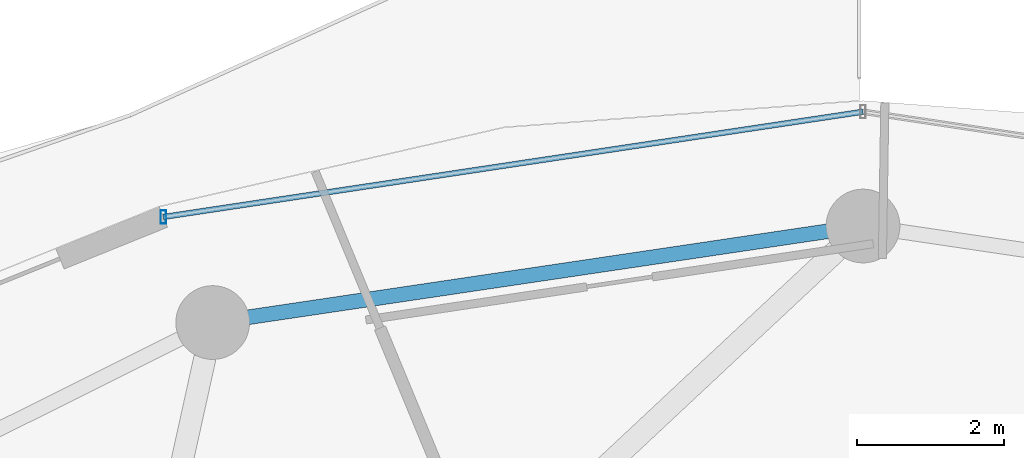
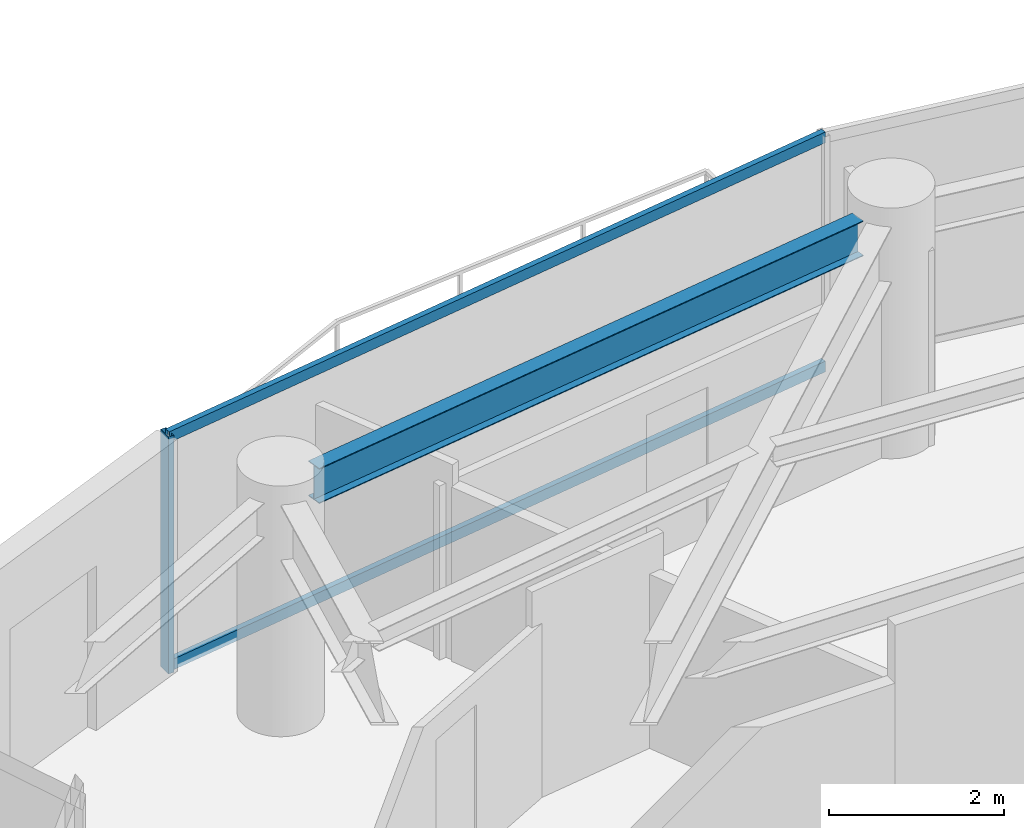
# One storey, part 17 of 29: 3 members, 1 beam, 1 element without a shape of its own.
"""IFC4 building model written with IfcOpenShell, lengths in metres."""

from ifc_helpers import new_model, si_unit, direction, frame, origin, origin_2d, place, context, subcontext, project, spatial, hollow_rectangle, i_section, extrude, material, material_profile, profile_set, type_object, element, aggregate, save


model = new_model("IFC4")

# Units and contexts
model_context = context("Model", 3, precision=1e-05, world=origin(), true_north=direction((0.0, 1.0)))
body_context = subcontext(model_context, "Body", "Model", "MODEL_VIEW")
ifc_project = project(units=[si_unit("LENGTHUNIT", "METRE"), si_unit("AREAUNIT", "SQUARE_METRE"), si_unit("VOLUMEUNIT", "CUBIC_METRE"), si_unit("PLANEANGLEUNIT", "RADIAN"), si_unit("MASSUNIT", "GRAM", prefix="KILO")], contexts=[model_context])

# Site, building, storey
site_placement = place(None, origin())
site = spatial("IfcSite", under=ifc_project, at=site_placement, CompositionType="ELEMENT")
building_placement = place(site_placement, origin())
building = spatial("IfcBuilding", under=site, at=building_placement, Name="Vorneva Point Tower", CompositionType="ELEMENT")
storey_placement = place(building_placement, frame((0.0, 0.0, 167.60009765625)))
storey = spatial("IfcBuildingStorey", under=building, at=storey_placement, Name="L45", CompositionType="ELEMENT", Elevation=167.60009765625)

# Beam
ifc_material_1 = material(Name="Steel S355", Category="steel")
ifc_material_profile_1 = material_profile(ifc_material_1, i_section(OverallWidth=0.199951171875, OverallDepth=0.491943359375, WebThickness=0.0087890625, FlangeThickness=0.011962890625, at=origin_2d()), Name="50B1")
ifc_profile_set_1 = profile_set([ifc_material_profile_1], Name="Steel S355")
beam_type = type_object("IfcBeamType", Name="BM-SPN-50B1", PredefinedType="SPANDREL", material=ifc_profile_set_1)
beam_placement = place(storey_placement, frame((37.520263671875, 43.12890625, 2.993896484375), z_axis=(-0.989161199046, -0.146833655211, 0.0), x_axis=(0.146833655211, -0.989161199046, 0.0)))
element("IfcBeam", 1, at=beam_placement, inside=storey, type_object=beam_type, Name="L45 Perimeter Spandrel Ring Beam 05", PredefinedType="SPANDREL", context=body_context, shape_type="SweptSolid", body=[
    extrude(i_section(OverallWidth=0.199951171875, OverallDepth=0.491943359375, WebThickness=0.0087890625, FlangeThickness=0.011962890625, at=origin_2d()), origin(), (0.0, 0.0, 1.0), 7.94775390625),
])

# Curtain wall, members
ifc_material_2 = material(Name="Pale anodised aluminium", Category="aluminium")
curtain_wall_type = type_object("IfcCurtainWallType", Name="CW-RES-SYS", PredefinedType="NOTDEFINED", material=ifc_material_2)
curtain_wall_placement = place(storey_placement, origin())
curtain_wall = element("IfcCurtainWall", 2, at=curtain_wall_placement, inside=storey, type_object=curtain_wall_type, Name="L45 Unitised Curtain Wall CW-L45-R02", PredefinedType="NOTDEFINED")
ifc_material_profile_2 = material_profile(ifc_material_2, hollow_rectangle(XDim=0.074951171875, YDim=0.179931640625, WallThickness=0.00390625, at=origin_2d()), Name="AL-MUL 180x75x4")
ifc_profile_set_2 = profile_set([ifc_material_profile_2], Name="Pale anodised aluminium")
member_type_1 = type_object("IfcMemberType", Name="CW-MUL-180", PredefinedType="MULLION", material=ifc_profile_set_2)
member_1_placement = place(storey_placement, frame((28.509521484375, 43.32275390625, -0.0400390625), z_axis=(0.0, 0.0, 1.0), x_axis=(1.0, 0.0, 0.0)))
member_1 = element("IfcMember", 3, at=member_1_placement, type_object=member_type_1, Name="CW-L45-R02 Mullion 04", PredefinedType="MULLION", context=body_context, shape_type="SweptSolid", body=[
    extrude(hollow_rectangle(XDim=0.074951171875, YDim=0.179931640625, WallThickness=0.00390625, at=origin_2d()), origin(), (0.0, 0.0, 1.0), 3.31005859375),
])
ifc_material_profile_3 = material_profile(ifc_material_2, hollow_rectangle(XDim=0.074951171875, YDim=0.14990234375, WallThickness=0.00390625, at=origin_2d()), Name="AL-TRN 150x75x4")
ifc_profile_set_3 = profile_set([ifc_material_profile_3], Name="Pale anodised aluminium")
member_type_2 = type_object("IfcMemberType", Name="CW-TRN-150", PredefinedType="USERDEFINED", material=ifc_profile_set_3)
member_2_placement = place(storey_placement, frame((38.0, 44.75, 0.02001953125), z_axis=(-0.988880117727, -0.148714870687, 0.0), x_axis=(0.148714870687, -0.988880117727, 0.0)))
member_2 = element("IfcMember", 4, at=member_2_placement, type_object=member_type_2, Name="CW-L45-R02 Transom 03.1", ObjectType="TRANSOM", PredefinedType="USERDEFINED", context=body_context, shape_type="SweptSolid", body=[
    extrude(hollow_rectangle(XDim=0.074951171875, YDim=0.14990234375, WallThickness=0.00390625, at=origin_2d()), origin(), (0.0, 0.0, 1.0), 9.59716796875),
])
member_3_placement = place(storey_placement, frame((38.0, 44.75, 3.219970703125), z_axis=(-0.988880117727, -0.148714870687, 0.0), x_axis=(0.148714870687, -0.988880117727, 0.0)))
member_3 = element("IfcMember", 5, at=member_3_placement, type_object=member_type_2, Name="CW-L45-R02 Transom 03.2", ObjectType="TRANSOM", PredefinedType="USERDEFINED", context=body_context, shape_type="SweptSolid", body=[
    extrude(hollow_rectangle(XDim=0.074951171875, YDim=0.14990234375, WallThickness=0.00390625, at=origin_2d()), origin(), (0.0, 0.0, 1.0), 9.59716796875),
])
aggregate(curtain_wall, [member_1, member_2, member_3])

save(model, "model.ifc")
